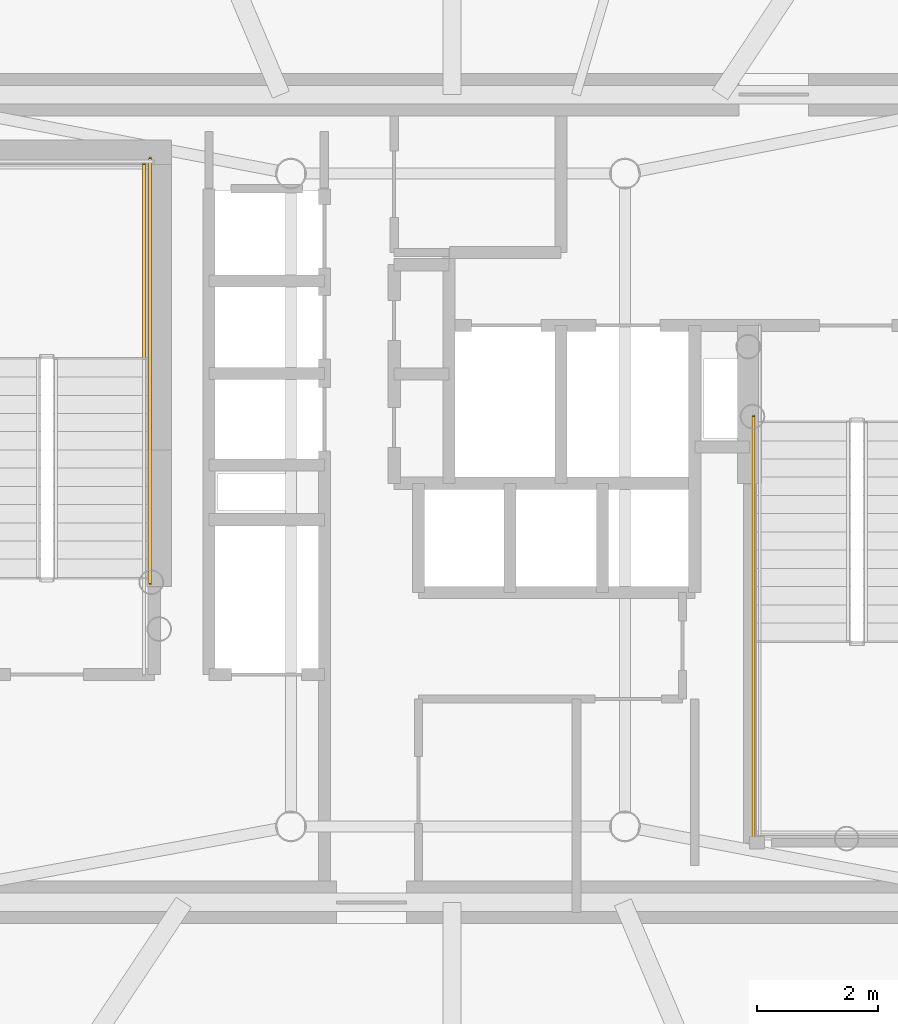
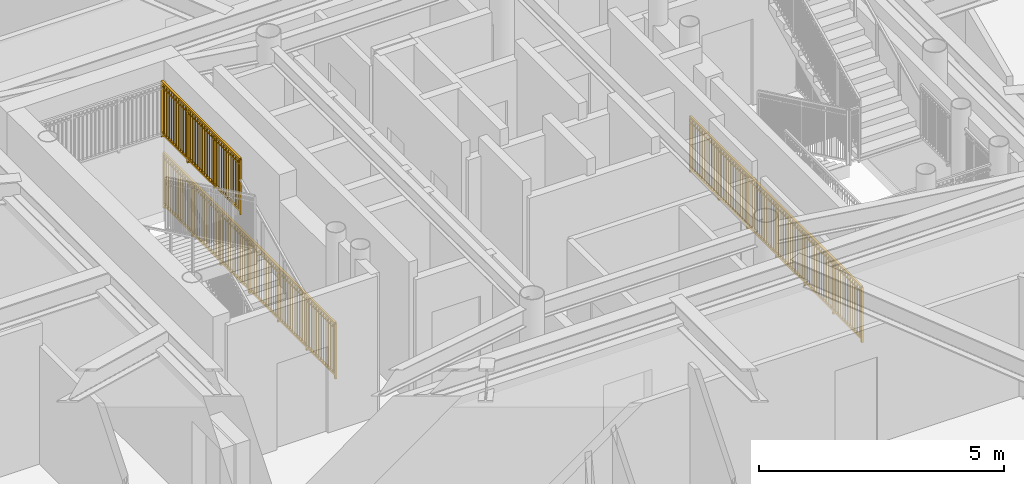
# One storey, part 18 of 21: 3 railings.
"""IFC4 building model written with IfcOpenShell, lengths in metres."""

import ifcopenshell
import ifcopenshell.guid

model = None  # the IFC model being written
_history = None  # IfcOwnerHistory: only IFC2X3 demands one
_inside = {}  # id of a spatial element -> (the spatial element, [elements in it])
_under = {}  # id of a project, library or spatial element -> (it, [spatial elements below it])
_declared = {}  # id of a project -> (the project, [libraries it declares])
_typed = {}  # id of a type object -> (the type object, [elements of that type])
_made_of = {}  # id of a material, layer set ... -> (it, [elements and type objects made of it])


def new_model(schema):
    """Start an empty IFC model of exactly this schema.

    Asked for "IFC4X3", IfcOpenShell would pick the latest addendum, in which some entities
    have other attributes; the version numbers below select the first issue.
    IFC2X3 requires an IfcOwnerHistory on every rooted entity: one is made here for all.
    """
    global model, _history
    if schema == "IFC4X3":
        model = ifcopenshell.file(schema_version=(4, 3, 0, 0))
    else:
        model = ifcopenshell.file(schema=schema)
    _inside.clear()
    _under.clear()
    _declared.clear()
    _typed.clear()
    _made_of.clear()
    _history = None
    if model.schema == "IFC2X3":
        org = make("IfcOrganization", Name="unknown")
        user = make(
            "IfcPersonAndOrganization",
            ThePerson=make("IfcPerson", FamilyName="unknown"),
            TheOrganization=org,
        )
        app = make(
            "IfcApplication",
            ApplicationDeveloper=org,
            Version="unknown",
            ApplicationFullName="unknown",
            ApplicationIdentifier="unknown",
        )
        _history = make(
            "IfcOwnerHistory",
            OwningUser=user,
            OwningApplication=app,
            ChangeAction="ADDED",
            CreationDate=0,
        )
    return model


def make(cls, **values):
    """One entity of the class cls with the attributes given. An attribute that is None is left unset."""
    return model.create_entity(
        cls, **{name: value for name, value in values.items() if value is not None}
    )


def rooted(cls, **values):
    """An entity with a GlobalId (a new one), such as an element, a storey or a relation."""
    return make(cls, GlobalId=ifcopenshell.guid.new(), OwnerHistory=_history, **values)


def si_unit(unit_type, name, prefix=None):
    """IfcSIUnit, for example si_unit("LENGTHUNIT", "METRE", prefix="MILLI")."""
    return make("IfcSIUnit", UnitType=unit_type, Prefix=prefix, Name=name)


def assignment(units):
    """IfcUnitAssignment: the units of a project."""
    return None if units is None else make("IfcUnitAssignment", Units=units)


def point(xyz):
    """IfcCartesianPoint."""
    return None if xyz is None else make("IfcCartesianPoint", Coordinates=xyz)


def direction(xyz):
    """IfcDirection."""
    return None if xyz is None else make("IfcDirection", DirectionRatios=xyz)


def frame(location, z_axis=None, x_axis=None):
    """IfcAxis2Placement3D, a coordinate frame: its origin and axes. An axis left out is left unset."""
    return make(
        "IfcAxis2Placement3D",
        Location=point(location),
        Axis=direction(z_axis),
        RefDirection=direction(x_axis),
    )


def frame_2d(location, x_axis=None):
    """IfcAxis2Placement2D, a coordinate frame in the plane: its origin and x axis."""
    return make(
        "IfcAxis2Placement2D", Location=point(location), RefDirection=direction(x_axis)
    )


def origin():
    """The frame at (0, 0, 0) with its axes left unset."""
    return frame((0.0, 0.0, 0.0))


def origin_2d():
    """The frame at (0, 0) in the plane with its x axis left unset."""
    return frame_2d((0.0, 0.0))


def place(relative_to, where):
    """IfcLocalPlacement: puts the frame where relative to a parent placement (None: the world)."""
    return make(
        "IfcLocalPlacement", PlacementRelTo=relative_to, RelativePlacement=where
    )


def context(
    kind, dimensions, precision=None, world=None, true_north=None, identifier=None
):
    """IfcGeometricRepresentationContext, for example the 3D "Model" context."""
    return make(
        "IfcGeometricRepresentationContext",
        ContextIdentifier=identifier,
        ContextType=kind,
        CoordinateSpaceDimension=dimensions,
        Precision=precision,
        WorldCoordinateSystem=world,
        TrueNorth=true_north,
    )


def subcontext(parent, identifier, kind, view, scale=None):
    """IfcGeometricRepresentationSubContext, for example "Body" below "Model"."""
    return make(
        "IfcGeometricRepresentationSubContext",
        ContextIdentifier=identifier,
        ContextType=kind,
        ParentContext=parent,
        TargetScale=scale,
        TargetView=view,
    )


def project(units=None, contexts=None):
    """IfcProject with its units and contexts."""
    return rooted(
        "IfcProject",
        Name="project",
        RepresentationContexts=contexts,
        UnitsInContext=assignment(units),
    )


def spatial(cls, under=None, at=None, **own):
    """A site, building, storey or space (cls), placed at a placement, below another one or the project."""
    s = rooted(cls, ObjectPlacement=at, **own)
    if under is not None:
        _under.setdefault(under.id(), (under, []))[1].append(s)
    return s


def profile(cls, at=None, kind="AREA", **sizes):
    """A parametric profile (cls). Its sizes go by their IFC names, for example OverallWidth=200.0."""
    return make(cls, ProfileType=kind, Position=at, **sizes)


def rectangle(**sizes):
    """IfcRectangleProfileDef."""
    return profile("IfcRectangleProfileDef", **sizes)


def extrude(swept, where, along, depth):
    """IfcExtrudedAreaSolid: the profile swept, set in the frame where, extruded along a direction by depth."""
    return make(
        "IfcExtrudedAreaSolid",
        SweptArea=swept,
        Position=where,
        ExtrudedDirection=direction(along),
        Depth=depth,
    )


def shape(context_of_items, identifier, shape_type, items):
    """IfcShapeRepresentation: the items that make up one representation, for example the "Body"."""
    return make(
        "IfcShapeRepresentation",
        ContextOfItems=context_of_items,
        RepresentationIdentifier=identifier,
        RepresentationType=shape_type,
        Items=items,
    )


def source(mapping_origin, context_of_items, identifier, shape_type, items):
    """IfcRepresentationMap: a shape defined once, which mapped items show again and again."""
    return make(
        "IfcRepresentationMap",
        MappingOrigin=mapping_origin,
        MappedRepresentation=shape(context_of_items, identifier, shape_type, items),
    )


def transform(
    local_origin,
    x_axis=None,
    y_axis=None,
    z_axis=None,
    scale=None,
    scale2=None,
    scale3=None,
    uniform=True,
):
    """IfcCartesianTransformationOperator3D, or its non-uniform kind. x_axis, y_axis, z_axis: its Axis1, 2, 3."""
    if uniform:
        return make(
            "IfcCartesianTransformationOperator3D",
            Axis1=direction(x_axis),
            Axis2=direction(y_axis),
            LocalOrigin=point(local_origin),
            Scale=scale,
            Axis3=direction(z_axis),
        )
    return make(
        "IfcCartesianTransformationOperator3DnonUniform",
        Axis1=direction(x_axis),
        Axis2=direction(y_axis),
        LocalOrigin=point(local_origin),
        Scale=scale,
        Axis3=direction(z_axis),
        Scale2=scale2,
        Scale3=scale3,
    )


def mapped(mapping_source, mapping_target):
    """IfcMappedItem: shows the shape of a source again, moved by a transform."""
    return make(
        "IfcMappedItem", MappingSource=mapping_source, MappingTarget=mapping_target
    )


def material(Name=None, Category=None):
    """IfcMaterial."""
    return make("IfcMaterial", Name=Name, Category=Category)


def made_of(thing, what):
    """Note that an element or type object is made of a material, layer set ...; save() writes the relation."""
    if what is not None:
        _made_of.setdefault(what.id(), (what, []))[1].append(thing)
    return thing


def type_object(cls, material=None, **own):
    """A type object (cls), such as IfcWallType, which elements share."""
    return made_of(rooted(cls, **own), material)


def element(
    cls,
    number,
    at=None,
    inside=None,
    cuts=None,
    type_object=None,
    material=None,
    context=None,
    identifier="Body",
    shape_type=None,
    held_by="IfcProductDefinitionShape",
    body=None,
    shapes=None,
    **own,
):
    """One element of the class cls, such as IfcWall. Its Tag is "e" and its number.

    at: its placement. inside: the storey or other place that contains it. cuts: it is an
    opening in that element (IfcRelVoidsElement). A single representation is given by context,
    identifier, shape_type and body (its items); several are given by shapes. held_by: the class
    of the entity that holds the representations. save() writes the other relations.
    """
    e = rooted(cls, Tag="e%d" % number, ObjectPlacement=at, **own)
    if body is not None:
        shapes = [shape(context, identifier, shape_type, body)]
    if shapes is not None:
        e.Representation = make(held_by, Representations=shapes)
    if inside is not None:
        _inside.setdefault(inside.id(), (inside, []))[1].append(e)
    if cuts is not None:
        rooted(
            "IfcRelVoidsElement", RelatingBuildingElement=cuts, RelatedOpeningElement=e
        )
    if type_object is not None:
        _typed.setdefault(type_object.id(), (type_object, []))[1].append(e)
    return made_of(e, material)


def aggregate(whole, parts):
    """IfcRelAggregates: a whole, such as a stair, and the parts it consists of."""
    return rooted("IfcRelAggregates", RelatingObject=whole, RelatedObjects=parts)


def save(model, path):
    """Write the relations noted so far, then the file.

    IfcRelAggregates (storeys below a building ...), IfcRelContainedInSpatialStructure (elements
    in a storey), IfcRelDefinesByType, IfcRelAssociatesMaterial and IfcRelDeclares: one each for
    every whole, place, type object, material and project.
    """
    for whole, parts in _under.values():
        aggregate(whole, parts)
    for where, things in _inside.values():
        rooted(
            "IfcRelContainedInSpatialStructure",
            RelatedElements=things,
            RelatingStructure=where,
        )
    for kind, things in _typed.values():
        rooted("IfcRelDefinesByType", RelatedObjects=things, RelatingType=kind)
    for what, things in _made_of.values():
        rooted("IfcRelAssociatesMaterial", RelatedObjects=things, RelatingMaterial=what)
    for by, libraries in _declared.values():
        rooted("IfcRelDeclares", RelatingContext=by, RelatedDefinitions=libraries)
    model.write(path)


model = new_model("IFC4")

# Units and contexts
model_context = context("Model", 3, precision=1e-05, world=origin(), true_north=direction((0.0, 1.0)))
body_context = subcontext(model_context, "Body", "Model", "MODEL_VIEW")
ifc_project = project(units=[si_unit("LENGTHUNIT", "METRE"), si_unit("AREAUNIT", "SQUARE_METRE"), si_unit("VOLUMEUNIT", "CUBIC_METRE"), si_unit("PLANEANGLEUNIT", "RADIAN"), si_unit("MASSUNIT", "GRAM", prefix="KILO")], contexts=[model_context])

# Site, building, storey
site_placement = place(None, origin())
site = spatial("IfcSite", under=ifc_project, at=site_placement, CompositionType="ELEMENT")
building_placement = place(site_placement, origin())
building = spatial("IfcBuilding", under=site, at=building_placement, Name="Linh Dai School and Residence Tower", CompositionType="ELEMENT")
storey_placement = place(building_placement, frame((0.0, 0.0, 229.050048828125)))
storey = spatial("IfcBuildingStorey", under=building, at=storey_placement, Name="L56", CompositionType="ELEMENT", Elevation=229.050048828125)

# Railings
ifc_material = material(Name="Structural Steel S355JR", Category="steel")
railing_type = type_object("IfcRailingType", Name="RL-ST-GUARD-1400", PredefinedType="GUARDRAIL", material=ifc_material)
shared_shape_1 = source(origin(), body_context, "Body", "SweptSolid", [
    extrude(rectangle(XDim=0.048095703125, YDim=0.048095703125, at=origin_2d()), frame((0.0, 0.0, 1.3759765625), z_axis=(0.0, 1.0, 0.0), x_axis=(-1.0, 0.0, 0.0)), (0.0, 0.0, 1.0), 7.0),
    extrude(rectangle(XDim=0.048095703125, YDim=0.048095703125, at=origin_2d()), frame((0.0, 0.0, 0.10009765625), z_axis=(0.0, 1.0, 0.0), x_axis=(-1.0, 0.0, 0.0)), (0.0, 0.0, 1.0), 7.0),
    extrude(rectangle(XDim=0.030029296875, YDim=0.030029296875, at=origin_2d()), frame((0.0, 0.0, 1.239990234375), z_axis=(0.0, 1.0, 0.0), x_axis=(-1.0, 0.0, 0.0)), (0.0, 0.0, 1.0), 7.0),
    extrude(rectangle(XDim=0.02001953125, YDim=0.02001953125, at=origin_2d()), frame((0.0, 0.09716796875, 0.10009765625)), (0.0, 0.0, 1.0), 1.251708984375),
    extrude(rectangle(XDim=0.02001953125, YDim=0.02001953125, at=origin_2d()), frame((0.0, 0.1943359375, 0.10009765625)), (0.0, 0.0, 1.0), 1.251708984375),
    extrude(rectangle(XDim=0.02001953125, YDim=0.02001953125, at=origin_2d()), frame((0.0, 0.291748046875, 0.10009765625)), (0.0, 0.0, 1.0), 1.251708984375),
    extrude(rectangle(XDim=0.02001953125, YDim=0.02001953125, at=origin_2d()), frame((0.0, 0.388916015625, 0.10009765625)), (0.0, 0.0, 1.0), 1.251708984375),
    extrude(rectangle(XDim=0.02001953125, YDim=0.02001953125, at=origin_2d()), frame((0.0, 0.486083984375, 0.10009765625)), (0.0, 0.0, 1.0), 1.251708984375),
    extrude(rectangle(XDim=0.02001953125, YDim=0.02001953125, at=origin_2d()), frame((0.0, 0.583251953125, 0.10009765625)), (0.0, 0.0, 1.0), 1.251708984375),
    extrude(rectangle(XDim=0.02001953125, YDim=0.02001953125, at=origin_2d()), frame((0.0, 0.6806640625, 0.10009765625)), (0.0, 0.0, 1.0), 1.251708984375),
    extrude(rectangle(XDim=0.02001953125, YDim=0.02001953125, at=origin_2d()), frame((0.0, 0.77783203125, 0.10009765625)), (0.0, 0.0, 1.0), 1.251708984375),
    extrude(rectangle(XDim=0.02001953125, YDim=0.02001953125, at=origin_2d()), frame((0.0, 0.875, 0.10009765625)), (0.0, 0.0, 1.0), 1.251708984375),
    extrude(rectangle(XDim=0.02001953125, YDim=0.02001953125, at=origin_2d()), frame((0.0, 0.97216796875, 0.10009765625)), (0.0, 0.0, 1.0), 1.251708984375),
    extrude(rectangle(XDim=0.02001953125, YDim=0.02001953125, at=origin_2d()), frame((0.0, 1.0693359375, 0.10009765625)), (0.0, 0.0, 1.0), 1.251708984375),
    extrude(rectangle(XDim=0.02001953125, YDim=0.02001953125, at=origin_2d()), frame((0.0, 1.263916015625, 0.10009765625)), (0.0, 0.0, 1.0), 1.251708984375),
    extrude(rectangle(XDim=0.02001953125, YDim=0.02001953125, at=origin_2d()), frame((0.0, 1.361083984375, 0.10009765625)), (0.0, 0.0, 1.0), 1.251708984375),
    extrude(rectangle(XDim=0.02001953125, YDim=0.02001953125, at=origin_2d()), frame((0.0, 1.458251953125, 0.10009765625)), (0.0, 0.0, 1.0), 1.251708984375),
    extrude(rectangle(XDim=0.02001953125, YDim=0.02001953125, at=origin_2d()), frame((0.0, 1.5556640625, 0.10009765625)), (0.0, 0.0, 1.0), 1.251708984375),
    extrude(rectangle(XDim=0.02001953125, YDim=0.02001953125, at=origin_2d()), frame((0.0, 1.65283203125, 0.10009765625)), (0.0, 0.0, 1.0), 1.251708984375),
    extrude(rectangle(XDim=0.02001953125, YDim=0.02001953125, at=origin_2d()), frame((0.0, 1.75, 0.10009765625)), (0.0, 0.0, 1.0), 1.251708984375),
    extrude(rectangle(XDim=0.02001953125, YDim=0.02001953125, at=origin_2d()), frame((0.0, 1.84716796875, 0.10009765625)), (0.0, 0.0, 1.0), 1.251708984375),
    extrude(rectangle(XDim=0.02001953125, YDim=0.02001953125, at=origin_2d()), frame((0.0, 1.9443359375, 0.10009765625)), (0.0, 0.0, 1.0), 1.251708984375),
    extrude(rectangle(XDim=0.02001953125, YDim=0.02001953125, at=origin_2d()), frame((0.0, 2.041748046875, 0.10009765625)), (0.0, 0.0, 1.0), 1.251708984375),
    extrude(rectangle(XDim=0.02001953125, YDim=0.02001953125, at=origin_2d()), frame((0.0, 2.138916015625, 0.10009765625)), (0.0, 0.0, 1.0), 1.251708984375),
    extrude(rectangle(XDim=0.02001953125, YDim=0.02001953125, at=origin_2d()), frame((0.0, 2.236083984375, 0.10009765625)), (0.0, 0.0, 1.0), 1.251708984375),
    extrude(rectangle(XDim=0.02001953125, YDim=0.02001953125, at=origin_2d()), frame((0.0, 2.4306640625, 0.10009765625)), (0.0, 0.0, 1.0), 1.251708984375),
    extrude(rectangle(XDim=0.02001953125, YDim=0.02001953125, at=origin_2d()), frame((0.0, 2.52783203125, 0.10009765625)), (0.0, 0.0, 1.0), 1.251708984375),
    extrude(rectangle(XDim=0.02001953125, YDim=0.02001953125, at=origin_2d()), frame((0.0, 2.625, 0.10009765625)), (0.0, 0.0, 1.0), 1.251708984375),
    extrude(rectangle(XDim=0.02001953125, YDim=0.02001953125, at=origin_2d()), frame((0.0, 2.72216796875, 0.10009765625)), (0.0, 0.0, 1.0), 1.251708984375),
    extrude(rectangle(XDim=0.02001953125, YDim=0.02001953125, at=origin_2d()), frame((0.0, 2.8193359375, 0.10009765625)), (0.0, 0.0, 1.0), 1.251708984375),
    extrude(rectangle(XDim=0.02001953125, YDim=0.02001953125, at=origin_2d()), frame((0.0, 2.916748046875, 0.10009765625)), (0.0, 0.0, 1.0), 1.251708984375),
    extrude(rectangle(XDim=0.02001953125, YDim=0.02001953125, at=origin_2d()), frame((0.0, 3.013916015625, 0.10009765625)), (0.0, 0.0, 1.0), 1.251708984375),
    extrude(rectangle(XDim=0.02001953125, YDim=0.02001953125, at=origin_2d()), frame((0.0, 3.111083984375, 0.10009765625)), (0.0, 0.0, 1.0), 1.251708984375),
    extrude(rectangle(XDim=0.02001953125, YDim=0.02001953125, at=origin_2d()), frame((0.0, 3.208251953125, 0.10009765625)), (0.0, 0.0, 1.0), 1.251708984375),
    extrude(rectangle(XDim=0.02001953125, YDim=0.02001953125, at=origin_2d()), frame((0.0, 3.3056640625, 0.10009765625)), (0.0, 0.0, 1.0), 1.251708984375),
    extrude(rectangle(XDim=0.02001953125, YDim=0.02001953125, at=origin_2d()), frame((0.0, 3.40283203125, 0.10009765625)), (0.0, 0.0, 1.0), 1.251708984375),
    extrude(rectangle(XDim=0.02001953125, YDim=0.02001953125, at=origin_2d()), frame((0.0, 3.59716796875, 0.10009765625)), (0.0, 0.0, 1.0), 1.251708984375),
    extrude(rectangle(XDim=0.02001953125, YDim=0.02001953125, at=origin_2d()), frame((0.0, 3.6943359375, 0.10009765625)), (0.0, 0.0, 1.0), 1.251708984375),
    extrude(rectangle(XDim=0.02001953125, YDim=0.02001953125, at=origin_2d()), frame((0.0, 3.791748046875, 0.10009765625)), (0.0, 0.0, 1.0), 1.251708984375),
    extrude(rectangle(XDim=0.02001953125, YDim=0.02001953125, at=origin_2d()), frame((0.0, 3.888916015625, 0.10009765625)), (0.0, 0.0, 1.0), 1.251708984375),
    extrude(rectangle(XDim=0.02001953125, YDim=0.02001953125, at=origin_2d()), frame((0.0, 3.986083984375, 0.10009765625)), (0.0, 0.0, 1.0), 1.251708984375),
    extrude(rectangle(XDim=0.02001953125, YDim=0.02001953125, at=origin_2d()), frame((0.0, 4.083251953125, 0.10009765625)), (0.0, 0.0, 1.0), 1.251708984375),
    extrude(rectangle(XDim=0.02001953125, YDim=0.02001953125, at=origin_2d()), frame((0.0, 4.1806640625, 0.10009765625)), (0.0, 0.0, 1.0), 1.251708984375),
    extrude(rectangle(XDim=0.02001953125, YDim=0.02001953125, at=origin_2d()), frame((0.0, 4.27783203125, 0.10009765625)), (0.0, 0.0, 1.0), 1.251708984375),
    extrude(rectangle(XDim=0.02001953125, YDim=0.02001953125, at=origin_2d()), frame((0.0, 4.375, 0.10009765625)), (0.0, 0.0, 1.0), 1.251708984375),
    extrude(rectangle(XDim=0.02001953125, YDim=0.02001953125, at=origin_2d()), frame((0.0, 4.47216796875, 0.10009765625)), (0.0, 0.0, 1.0), 1.251708984375),
    extrude(rectangle(XDim=0.02001953125, YDim=0.02001953125, at=origin_2d()), frame((0.0, 4.5693359375, 0.10009765625)), (0.0, 0.0, 1.0), 1.251708984375),
    extrude(rectangle(XDim=0.02001953125, YDim=0.02001953125, at=origin_2d()), frame((0.0, 4.763916015625, 0.10009765625)), (0.0, 0.0, 1.0), 1.251708984375),
    extrude(rectangle(XDim=0.02001953125, YDim=0.02001953125, at=origin_2d()), frame((0.0, 4.861083984375, 0.10009765625)), (0.0, 0.0, 1.0), 1.251708984375),
    extrude(rectangle(XDim=0.02001953125, YDim=0.02001953125, at=origin_2d()), frame((0.0, 4.958251953125, 0.10009765625)), (0.0, 0.0, 1.0), 1.251708984375),
    extrude(rectangle(XDim=0.02001953125, YDim=0.02001953125, at=origin_2d()), frame((0.0, 5.0556640625, 0.10009765625)), (0.0, 0.0, 1.0), 1.251708984375),
    extrude(rectangle(XDim=0.02001953125, YDim=0.02001953125, at=origin_2d()), frame((0.0, 5.15283203125, 0.10009765625)), (0.0, 0.0, 1.0), 1.251708984375),
    extrude(rectangle(XDim=0.02001953125, YDim=0.02001953125, at=origin_2d()), frame((0.0, 5.25, 0.10009765625)), (0.0, 0.0, 1.0), 1.251708984375),
    extrude(rectangle(XDim=0.02001953125, YDim=0.02001953125, at=origin_2d()), frame((0.0, 5.34716796875, 0.10009765625)), (0.0, 0.0, 1.0), 1.251708984375),
    extrude(rectangle(XDim=0.02001953125, YDim=0.02001953125, at=origin_2d()), frame((0.0, 5.4443359375, 0.10009765625)), (0.0, 0.0, 1.0), 1.251708984375),
    extrude(rectangle(XDim=0.02001953125, YDim=0.02001953125, at=origin_2d()), frame((0.0, 5.541748046875, 0.10009765625)), (0.0, 0.0, 1.0), 1.251708984375),
    extrude(rectangle(XDim=0.02001953125, YDim=0.02001953125, at=origin_2d()), frame((0.0, 5.638916015625, 0.10009765625)), (0.0, 0.0, 1.0), 1.251708984375),
    extrude(rectangle(XDim=0.02001953125, YDim=0.02001953125, at=origin_2d()), frame((0.0, 5.736083984375, 0.10009765625)), (0.0, 0.0, 1.0), 1.251708984375),
    extrude(rectangle(XDim=0.02001953125, YDim=0.02001953125, at=origin_2d()), frame((0.0, 5.9306640625, 0.10009765625)), (0.0, 0.0, 1.0), 1.251708984375),
    extrude(rectangle(XDim=0.02001953125, YDim=0.02001953125, at=origin_2d()), frame((0.0, 6.02783203125, 0.10009765625)), (0.0, 0.0, 1.0), 1.251708984375),
    extrude(rectangle(XDim=0.02001953125, YDim=0.02001953125, at=origin_2d()), frame((0.0, 6.125, 0.10009765625)), (0.0, 0.0, 1.0), 1.251708984375),
    extrude(rectangle(XDim=0.02001953125, YDim=0.02001953125, at=origin_2d()), frame((0.0, 6.22216796875, 0.10009765625)), (0.0, 0.0, 1.0), 1.251708984375),
    extrude(rectangle(XDim=0.02001953125, YDim=0.02001953125, at=origin_2d()), frame((0.0, 6.3193359375, 0.10009765625)), (0.0, 0.0, 1.0), 1.251708984375),
    extrude(rectangle(XDim=0.02001953125, YDim=0.02001953125, at=origin_2d()), frame((0.0, 6.416748046875, 0.10009765625)), (0.0, 0.0, 1.0), 1.251708984375),
    extrude(rectangle(XDim=0.02001953125, YDim=0.02001953125, at=origin_2d()), frame((0.0, 6.513916015625, 0.10009765625)), (0.0, 0.0, 1.0), 1.251708984375),
    extrude(rectangle(XDim=0.02001953125, YDim=0.02001953125, at=origin_2d()), frame((0.0, 6.611083984375, 0.10009765625)), (0.0, 0.0, 1.0), 1.251708984375),
    extrude(rectangle(XDim=0.02001953125, YDim=0.02001953125, at=origin_2d()), frame((0.0, 6.708251953125, 0.10009765625)), (0.0, 0.0, 1.0), 1.251708984375),
    extrude(rectangle(XDim=0.02001953125, YDim=0.02001953125, at=origin_2d()), frame((0.0, 6.8056640625, 0.10009765625)), (0.0, 0.0, 1.0), 1.251708984375),
    extrude(rectangle(XDim=0.02001953125, YDim=0.02001953125, at=origin_2d()), frame((0.0, 6.90283203125, 0.10009765625)), (0.0, 0.0, 1.0), 1.251708984375),
    extrude(rectangle(XDim=0.0419921875, YDim=0.0419921875, at=origin_2d()), origin(), (0.0, 0.0, 1.0), 1.3759765625),
    extrude(rectangle(XDim=0.0419921875, YDim=0.0419921875, at=origin_2d()), frame((0.0, 1.166748046875, 0.0)), (0.0, 0.0, 1.0), 1.3759765625),
    extrude(rectangle(XDim=0.0419921875, YDim=0.0419921875, at=origin_2d()), frame((0.0, 2.333251953125, 0.0)), (0.0, 0.0, 1.0), 1.3759765625),
    extrude(rectangle(XDim=0.0419921875, YDim=0.0419921875, at=origin_2d()), frame((0.0, 3.5, 0.0)), (0.0, 0.0, 1.0), 1.3759765625),
    extrude(rectangle(XDim=0.0419921875, YDim=0.0419921875, at=origin_2d()), frame((0.0, 4.666748046875, 0.0)), (0.0, 0.0, 1.0), 1.3759765625),
    extrude(rectangle(XDim=0.0419921875, YDim=0.0419921875, at=origin_2d()), frame((0.0, 5.833251953125, 0.0)), (0.0, 0.0, 1.0), 1.3759765625),
    extrude(rectangle(XDim=0.0419921875, YDim=0.0419921875, at=origin_2d()), frame((0.0, 7.0, 0.0)), (0.0, 0.0, 1.0), 1.3759765625),
])
railing_1_placement = place(storey_placement, frame((31.030029296875, 25.60009765625, 0.0)))
element("IfcRailing", 1, at=railing_1_placement, inside=storey, type_object=railing_type, Name="L56 ST1 stair guard 10", PredefinedType="GUARDRAIL", context=body_context, shape_type="MappedRepresentation", body=[
    mapped(shared_shape_1, transform((0.0, 0.0, 0.0), x_axis=(1.0, 0.0, 0.0), y_axis=(0.0, 1.0, 0.0), z_axis=(0.0, 0.0, 1.0), scale=1.0)),
])
shared_shape_2 = source(origin(), body_context, "Body", "SweptSolid", [
    extrude(rectangle(XDim=0.048095703125, YDim=0.048095703125, at=origin_2d()), frame((0.0, 0.0, 1.3759765625), z_axis=(0.0, 1.0, 0.0), x_axis=(-1.0, 0.0, 0.0)), (0.0, 0.0, 1.0), 3.199951171875),
    extrude(rectangle(XDim=0.048095703125, YDim=0.048095703125, at=origin_2d()), frame((0.0, 0.0, 0.10009765625), z_axis=(0.0, 1.0, 0.0), x_axis=(-1.0, 0.0, 0.0)), (0.0, 0.0, 1.0), 3.199951171875),
    extrude(rectangle(XDim=0.030029296875, YDim=0.030029296875, at=origin_2d()), frame((0.0, 0.0, 1.239990234375), z_axis=(0.0, 1.0, 0.0), x_axis=(-1.0, 0.0, 0.0)), (0.0, 0.0, 1.0), 3.199951171875),
    extrude(rectangle(XDim=0.02001953125, YDim=0.02001953125, at=origin_2d()), frame((0.0, 0.096923828125, 0.10009765625)), (0.0, 0.0, 1.0), 1.251708984375),
    extrude(rectangle(XDim=0.02001953125, YDim=0.02001953125, at=origin_2d()), frame((0.0, 0.19384765625, 0.10009765625)), (0.0, 0.0, 1.0), 1.251708984375),
    extrude(rectangle(XDim=0.02001953125, YDim=0.02001953125, at=origin_2d()), frame((0.0, 0.291015625, 0.10009765625)), (0.0, 0.0, 1.0), 1.251708984375),
    extrude(rectangle(XDim=0.02001953125, YDim=0.02001953125, at=origin_2d()), frame((0.0, 0.387939453125, 0.10009765625)), (0.0, 0.0, 1.0), 1.251708984375),
    extrude(rectangle(XDim=0.02001953125, YDim=0.02001953125, at=origin_2d()), frame((0.0, 0.48486328125, 0.10009765625)), (0.0, 0.0, 1.0), 1.251708984375),
    extrude(rectangle(XDim=0.02001953125, YDim=0.02001953125, at=origin_2d()), frame((0.0, 0.581787109375, 0.10009765625)), (0.0, 0.0, 1.0), 1.251708984375),
    extrude(rectangle(XDim=0.02001953125, YDim=0.02001953125, at=origin_2d()), frame((0.0, 0.6787109375, 0.10009765625)), (0.0, 0.0, 1.0), 1.251708984375),
    extrude(rectangle(XDim=0.02001953125, YDim=0.02001953125, at=origin_2d()), frame((0.0, 0.775634765625, 0.10009765625)), (0.0, 0.0, 1.0), 1.251708984375),
    extrude(rectangle(XDim=0.02001953125, YDim=0.02001953125, at=origin_2d()), frame((0.0, 0.872802734375, 0.10009765625)), (0.0, 0.0, 1.0), 1.251708984375),
    extrude(rectangle(XDim=0.02001953125, YDim=0.02001953125, at=origin_2d()), frame((0.0, 0.9697265625, 0.10009765625)), (0.0, 0.0, 1.0), 1.251708984375),
    extrude(rectangle(XDim=0.02001953125, YDim=0.02001953125, at=origin_2d()), frame((0.0, 1.16357421875, 0.10009765625)), (0.0, 0.0, 1.0), 1.251708984375),
    extrude(rectangle(XDim=0.02001953125, YDim=0.02001953125, at=origin_2d()), frame((0.0, 1.260498046875, 0.10009765625)), (0.0, 0.0, 1.0), 1.251708984375),
    extrude(rectangle(XDim=0.02001953125, YDim=0.02001953125, at=origin_2d()), frame((0.0, 1.357666015625, 0.10009765625)), (0.0, 0.0, 1.0), 1.251708984375),
    extrude(rectangle(XDim=0.02001953125, YDim=0.02001953125, at=origin_2d()), frame((0.0, 1.45458984375, 0.10009765625)), (0.0, 0.0, 1.0), 1.251708984375),
    extrude(rectangle(XDim=0.02001953125, YDim=0.02001953125, at=origin_2d()), frame((0.0, 1.551513671875, 0.10009765625)), (0.0, 0.0, 1.0), 1.251708984375),
    extrude(rectangle(XDim=0.02001953125, YDim=0.02001953125, at=origin_2d()), frame((0.0, 1.6484375, 0.10009765625)), (0.0, 0.0, 1.0), 1.251708984375),
    extrude(rectangle(XDim=0.02001953125, YDim=0.02001953125, at=origin_2d()), frame((0.0, 1.745361328125, 0.10009765625)), (0.0, 0.0, 1.0), 1.251708984375),
    extrude(rectangle(XDim=0.02001953125, YDim=0.02001953125, at=origin_2d()), frame((0.0, 1.84228515625, 0.10009765625)), (0.0, 0.0, 1.0), 1.251708984375),
    extrude(rectangle(XDim=0.02001953125, YDim=0.02001953125, at=origin_2d()), frame((0.0, 1.939453125, 0.10009765625)), (0.0, 0.0, 1.0), 1.251708984375),
    extrude(rectangle(XDim=0.02001953125, YDim=0.02001953125, at=origin_2d()), frame((0.0, 2.036376953125, 0.10009765625)), (0.0, 0.0, 1.0), 1.251708984375),
    extrude(rectangle(XDim=0.02001953125, YDim=0.02001953125, at=origin_2d()), frame((0.0, 2.230224609375, 0.10009765625)), (0.0, 0.0, 1.0), 1.251708984375),
    extrude(rectangle(XDim=0.02001953125, YDim=0.02001953125, at=origin_2d()), frame((0.0, 2.3271484375, 0.10009765625)), (0.0, 0.0, 1.0), 1.251708984375),
    extrude(rectangle(XDim=0.02001953125, YDim=0.02001953125, at=origin_2d()), frame((0.0, 2.42431640625, 0.10009765625)), (0.0, 0.0, 1.0), 1.251708984375),
    extrude(rectangle(XDim=0.02001953125, YDim=0.02001953125, at=origin_2d()), frame((0.0, 2.521240234375, 0.10009765625)), (0.0, 0.0, 1.0), 1.251708984375),
    extrude(rectangle(XDim=0.02001953125, YDim=0.02001953125, at=origin_2d()), frame((0.0, 2.6181640625, 0.10009765625)), (0.0, 0.0, 1.0), 1.251708984375),
    extrude(rectangle(XDim=0.02001953125, YDim=0.02001953125, at=origin_2d()), frame((0.0, 2.715087890625, 0.10009765625)), (0.0, 0.0, 1.0), 1.251708984375),
    extrude(rectangle(XDim=0.02001953125, YDim=0.02001953125, at=origin_2d()), frame((0.0, 2.81201171875, 0.10009765625)), (0.0, 0.0, 1.0), 1.251708984375),
    extrude(rectangle(XDim=0.02001953125, YDim=0.02001953125, at=origin_2d()), frame((0.0, 2.908935546875, 0.10009765625)), (0.0, 0.0, 1.0), 1.251708984375),
    extrude(rectangle(XDim=0.02001953125, YDim=0.02001953125, at=origin_2d()), frame((0.0, 3.006103515625, 0.10009765625)), (0.0, 0.0, 1.0), 1.251708984375),
    extrude(rectangle(XDim=0.02001953125, YDim=0.02001953125, at=origin_2d()), frame((0.0, 3.10302734375, 0.10009765625)), (0.0, 0.0, 1.0), 1.251708984375),
    extrude(rectangle(XDim=0.0419921875, YDim=0.0419921875, at=origin_2d()), origin(), (0.0, 0.0, 1.0), 1.3759765625),
    extrude(rectangle(XDim=0.0419921875, YDim=0.0419921875, at=origin_2d()), frame((0.0, 1.066650390625, 0.0)), (0.0, 0.0, 1.0), 1.3759765625),
    extrude(rectangle(XDim=0.0419921875, YDim=0.0419921875, at=origin_2d()), frame((0.0, 2.13330078125, 0.0)), (0.0, 0.0, 1.0), 1.3759765625),
    extrude(rectangle(XDim=0.0419921875, YDim=0.0419921875, at=origin_2d()), frame((0.0, 3.199951171875, 0.0)), (0.0, 0.0, 1.0), 1.3759765625),
])
railing_2_placement = place(storey_placement, frame((30.929931640625, 29.300048828125, 1.875)))
element("IfcRailing", 2, at=railing_2_placement, inside=storey, type_object=railing_type, Name="L56 ST1 stair guard 3", PredefinedType="GUARDRAIL", context=body_context, shape_type="MappedRepresentation", body=[
    mapped(shared_shape_2, transform((0.0, 0.0, 0.0), x_axis=(1.0, 0.0, 0.0), y_axis=(0.0, 1.0, 0.0), z_axis=(0.0, 0.0, 1.0), scale=1.0)),
])
shared_shape_3 = source(origin(), body_context, "Body", "SweptSolid", [
    extrude(rectangle(XDim=0.048095703125, YDim=0.048095703125, at=origin_2d()), frame((0.0, 0.0, 1.3759765625), z_axis=(0.0, -1.0, 0.0), x_axis=(1.0, 0.0, 0.0)), (0.0, 0.0, 1.0), 7.0),
    extrude(rectangle(XDim=0.048095703125, YDim=0.048095703125, at=origin_2d()), frame((0.0, 0.0, 0.10009765625), z_axis=(0.0, -1.0, 0.0), x_axis=(1.0, 0.0, 0.0)), (0.0, 0.0, 1.0), 7.0),
    extrude(rectangle(XDim=0.030029296875, YDim=0.030029296875, at=origin_2d()), frame((0.0, 0.0, 1.239990234375), z_axis=(0.0, -1.0, 0.0), x_axis=(1.0, 0.0, 0.0)), (0.0, 0.0, 1.0), 7.0),
    extrude(rectangle(XDim=0.02001953125, YDim=0.02001953125, at=origin_2d()), frame((0.0, -0.09716796875, 0.10009765625)), (0.0, 0.0, 1.0), 1.251708984375),
    extrude(rectangle(XDim=0.02001953125, YDim=0.02001953125, at=origin_2d()), frame((0.0, -0.1943359375, 0.10009765625)), (0.0, 0.0, 1.0), 1.251708984375),
    extrude(rectangle(XDim=0.02001953125, YDim=0.02001953125, at=origin_2d()), frame((0.0, -0.291748046875, 0.10009765625)), (0.0, 0.0, 1.0), 1.251708984375),
    extrude(rectangle(XDim=0.02001953125, YDim=0.02001953125, at=origin_2d()), frame((0.0, -0.388916015625, 0.10009765625)), (0.0, 0.0, 1.0), 1.251708984375),
    extrude(rectangle(XDim=0.02001953125, YDim=0.02001953125, at=origin_2d()), frame((0.0, -0.486083984375, 0.10009765625)), (0.0, 0.0, 1.0), 1.251708984375),
    extrude(rectangle(XDim=0.02001953125, YDim=0.02001953125, at=origin_2d()), frame((0.0, -0.583251953125, 0.10009765625)), (0.0, 0.0, 1.0), 1.251708984375),
    extrude(rectangle(XDim=0.02001953125, YDim=0.02001953125, at=origin_2d()), frame((0.0, -0.6806640625, 0.10009765625)), (0.0, 0.0, 1.0), 1.251708984375),
    extrude(rectangle(XDim=0.02001953125, YDim=0.02001953125, at=origin_2d()), frame((0.0, -0.77783203125, 0.10009765625)), (0.0, 0.0, 1.0), 1.251708984375),
    extrude(rectangle(XDim=0.02001953125, YDim=0.02001953125, at=origin_2d()), frame((0.0, -0.875, 0.10009765625)), (0.0, 0.0, 1.0), 1.251708984375),
    extrude(rectangle(XDim=0.02001953125, YDim=0.02001953125, at=origin_2d()), frame((0.0, -0.97216796875, 0.10009765625)), (0.0, 0.0, 1.0), 1.251708984375),
    extrude(rectangle(XDim=0.02001953125, YDim=0.02001953125, at=origin_2d()), frame((0.0, -1.0693359375, 0.10009765625)), (0.0, 0.0, 1.0), 1.251708984375),
    extrude(rectangle(XDim=0.02001953125, YDim=0.02001953125, at=origin_2d()), frame((0.0, -1.263916015625, 0.10009765625)), (0.0, 0.0, 1.0), 1.251708984375),
    extrude(rectangle(XDim=0.02001953125, YDim=0.02001953125, at=origin_2d()), frame((0.0, -1.361083984375, 0.10009765625)), (0.0, 0.0, 1.0), 1.251708984375),
    extrude(rectangle(XDim=0.02001953125, YDim=0.02001953125, at=origin_2d()), frame((0.0, -1.458251953125, 0.10009765625)), (0.0, 0.0, 1.0), 1.251708984375),
    extrude(rectangle(XDim=0.02001953125, YDim=0.02001953125, at=origin_2d()), frame((0.0, -1.5556640625, 0.10009765625)), (0.0, 0.0, 1.0), 1.251708984375),
    extrude(rectangle(XDim=0.02001953125, YDim=0.02001953125, at=origin_2d()), frame((0.0, -1.65283203125, 0.10009765625)), (0.0, 0.0, 1.0), 1.251708984375),
    extrude(rectangle(XDim=0.02001953125, YDim=0.02001953125, at=origin_2d()), frame((0.0, -1.75, 0.10009765625)), (0.0, 0.0, 1.0), 1.251708984375),
    extrude(rectangle(XDim=0.02001953125, YDim=0.02001953125, at=origin_2d()), frame((0.0, -1.84716796875, 0.10009765625)), (0.0, 0.0, 1.0), 1.251708984375),
    extrude(rectangle(XDim=0.02001953125, YDim=0.02001953125, at=origin_2d()), frame((0.0, -1.9443359375, 0.10009765625)), (0.0, 0.0, 1.0), 1.251708984375),
    extrude(rectangle(XDim=0.02001953125, YDim=0.02001953125, at=origin_2d()), frame((0.0, -2.041748046875, 0.10009765625)), (0.0, 0.0, 1.0), 1.251708984375),
    extrude(rectangle(XDim=0.02001953125, YDim=0.02001953125, at=origin_2d()), frame((0.0, -2.138916015625, 0.10009765625)), (0.0, 0.0, 1.0), 1.251708984375),
    extrude(rectangle(XDim=0.02001953125, YDim=0.02001953125, at=origin_2d()), frame((0.0, -2.236083984375, 0.10009765625)), (0.0, 0.0, 1.0), 1.251708984375),
    extrude(rectangle(XDim=0.02001953125, YDim=0.02001953125, at=origin_2d()), frame((0.0, -2.4306640625, 0.10009765625)), (0.0, 0.0, 1.0), 1.251708984375),
    extrude(rectangle(XDim=0.02001953125, YDim=0.02001953125, at=origin_2d()), frame((0.0, -2.52783203125, 0.10009765625)), (0.0, 0.0, 1.0), 1.251708984375),
    extrude(rectangle(XDim=0.02001953125, YDim=0.02001953125, at=origin_2d()), frame((0.0, -2.625, 0.10009765625)), (0.0, 0.0, 1.0), 1.251708984375),
    extrude(rectangle(XDim=0.02001953125, YDim=0.02001953125, at=origin_2d()), frame((0.0, -2.72216796875, 0.10009765625)), (0.0, 0.0, 1.0), 1.251708984375),
    extrude(rectangle(XDim=0.02001953125, YDim=0.02001953125, at=origin_2d()), frame((0.0, -2.8193359375, 0.10009765625)), (0.0, 0.0, 1.0), 1.251708984375),
    extrude(rectangle(XDim=0.02001953125, YDim=0.02001953125, at=origin_2d()), frame((0.0, -2.916748046875, 0.10009765625)), (0.0, 0.0, 1.0), 1.251708984375),
    extrude(rectangle(XDim=0.02001953125, YDim=0.02001953125, at=origin_2d()), frame((0.0, -3.013916015625, 0.10009765625)), (0.0, 0.0, 1.0), 1.251708984375),
    extrude(rectangle(XDim=0.02001953125, YDim=0.02001953125, at=origin_2d()), frame((0.0, -3.111083984375, 0.10009765625)), (0.0, 0.0, 1.0), 1.251708984375),
    extrude(rectangle(XDim=0.02001953125, YDim=0.02001953125, at=origin_2d()), frame((0.0, -3.208251953125, 0.10009765625)), (0.0, 0.0, 1.0), 1.251708984375),
    extrude(rectangle(XDim=0.02001953125, YDim=0.02001953125, at=origin_2d()), frame((0.0, -3.3056640625, 0.10009765625)), (0.0, 0.0, 1.0), 1.251708984375),
    extrude(rectangle(XDim=0.02001953125, YDim=0.02001953125, at=origin_2d()), frame((0.0, -3.40283203125, 0.10009765625)), (0.0, 0.0, 1.0), 1.251708984375),
    extrude(rectangle(XDim=0.02001953125, YDim=0.02001953125, at=origin_2d()), frame((0.0, -3.59716796875, 0.10009765625)), (0.0, 0.0, 1.0), 1.251708984375),
    extrude(rectangle(XDim=0.02001953125, YDim=0.02001953125, at=origin_2d()), frame((0.0, -3.6943359375, 0.10009765625)), (0.0, 0.0, 1.0), 1.251708984375),
    extrude(rectangle(XDim=0.02001953125, YDim=0.02001953125, at=origin_2d()), frame((0.0, -3.791748046875, 0.10009765625)), (0.0, 0.0, 1.0), 1.251708984375),
    extrude(rectangle(XDim=0.02001953125, YDim=0.02001953125, at=origin_2d()), frame((0.0, -3.888916015625, 0.10009765625)), (0.0, 0.0, 1.0), 1.251708984375),
    extrude(rectangle(XDim=0.02001953125, YDim=0.02001953125, at=origin_2d()), frame((0.0, -3.986083984375, 0.10009765625)), (0.0, 0.0, 1.0), 1.251708984375),
    extrude(rectangle(XDim=0.02001953125, YDim=0.02001953125, at=origin_2d()), frame((0.0, -4.083251953125, 0.10009765625)), (0.0, 0.0, 1.0), 1.251708984375),
    extrude(rectangle(XDim=0.02001953125, YDim=0.02001953125, at=origin_2d()), frame((0.0, -4.1806640625, 0.10009765625)), (0.0, 0.0, 1.0), 1.251708984375),
    extrude(rectangle(XDim=0.02001953125, YDim=0.02001953125, at=origin_2d()), frame((0.0, -4.27783203125, 0.10009765625)), (0.0, 0.0, 1.0), 1.251708984375),
    extrude(rectangle(XDim=0.02001953125, YDim=0.02001953125, at=origin_2d()), frame((0.0, -4.375, 0.10009765625)), (0.0, 0.0, 1.0), 1.251708984375),
    extrude(rectangle(XDim=0.02001953125, YDim=0.02001953125, at=origin_2d()), frame((0.0, -4.47216796875, 0.10009765625)), (0.0, 0.0, 1.0), 1.251708984375),
    extrude(rectangle(XDim=0.02001953125, YDim=0.02001953125, at=origin_2d()), frame((0.0, -4.5693359375, 0.10009765625)), (0.0, 0.0, 1.0), 1.251708984375),
    extrude(rectangle(XDim=0.02001953125, YDim=0.02001953125, at=origin_2d()), frame((0.0, -4.763916015625, 0.10009765625)), (0.0, 0.0, 1.0), 1.251708984375),
    extrude(rectangle(XDim=0.02001953125, YDim=0.02001953125, at=origin_2d()), frame((0.0, -4.861083984375, 0.10009765625)), (0.0, 0.0, 1.0), 1.251708984375),
    extrude(rectangle(XDim=0.02001953125, YDim=0.02001953125, at=origin_2d()), frame((0.0, -4.958251953125, 0.10009765625)), (0.0, 0.0, 1.0), 1.251708984375),
    extrude(rectangle(XDim=0.02001953125, YDim=0.02001953125, at=origin_2d()), frame((0.0, -5.0556640625, 0.10009765625)), (0.0, 0.0, 1.0), 1.251708984375),
    extrude(rectangle(XDim=0.02001953125, YDim=0.02001953125, at=origin_2d()), frame((0.0, -5.15283203125, 0.10009765625)), (0.0, 0.0, 1.0), 1.251708984375),
    extrude(rectangle(XDim=0.02001953125, YDim=0.02001953125, at=origin_2d()), frame((0.0, -5.25, 0.10009765625)), (0.0, 0.0, 1.0), 1.251708984375),
    extrude(rectangle(XDim=0.02001953125, YDim=0.02001953125, at=origin_2d()), frame((0.0, -5.34716796875, 0.10009765625)), (0.0, 0.0, 1.0), 1.251708984375),
    extrude(rectangle(XDim=0.02001953125, YDim=0.02001953125, at=origin_2d()), frame((0.0, -5.4443359375, 0.10009765625)), (0.0, 0.0, 1.0), 1.251708984375),
    extrude(rectangle(XDim=0.02001953125, YDim=0.02001953125, at=origin_2d()), frame((0.0, -5.541748046875, 0.10009765625)), (0.0, 0.0, 1.0), 1.251708984375),
    extrude(rectangle(XDim=0.02001953125, YDim=0.02001953125, at=origin_2d()), frame((0.0, -5.638916015625, 0.10009765625)), (0.0, 0.0, 1.0), 1.251708984375),
    extrude(rectangle(XDim=0.02001953125, YDim=0.02001953125, at=origin_2d()), frame((0.0, -5.736083984375, 0.10009765625)), (0.0, 0.0, 1.0), 1.251708984375),
    extrude(rectangle(XDim=0.02001953125, YDim=0.02001953125, at=origin_2d()), frame((0.0, -5.9306640625, 0.10009765625)), (0.0, 0.0, 1.0), 1.251708984375),
    extrude(rectangle(XDim=0.02001953125, YDim=0.02001953125, at=origin_2d()), frame((0.0, -6.02783203125, 0.10009765625)), (0.0, 0.0, 1.0), 1.251708984375),
    extrude(rectangle(XDim=0.02001953125, YDim=0.02001953125, at=origin_2d()), frame((0.0, -6.125, 0.10009765625)), (0.0, 0.0, 1.0), 1.251708984375),
    extrude(rectangle(XDim=0.02001953125, YDim=0.02001953125, at=origin_2d()), frame((0.0, -6.22216796875, 0.10009765625)), (0.0, 0.0, 1.0), 1.251708984375),
    extrude(rectangle(XDim=0.02001953125, YDim=0.02001953125, at=origin_2d()), frame((0.0, -6.3193359375, 0.10009765625)), (0.0, 0.0, 1.0), 1.251708984375),
    extrude(rectangle(XDim=0.02001953125, YDim=0.02001953125, at=origin_2d()), frame((0.0, -6.416748046875, 0.10009765625)), (0.0, 0.0, 1.0), 1.251708984375),
    extrude(rectangle(XDim=0.02001953125, YDim=0.02001953125, at=origin_2d()), frame((0.0, -6.513916015625, 0.10009765625)), (0.0, 0.0, 1.0), 1.251708984375),
    extrude(rectangle(XDim=0.02001953125, YDim=0.02001953125, at=origin_2d()), frame((0.0, -6.611083984375, 0.10009765625)), (0.0, 0.0, 1.0), 1.251708984375),
    extrude(rectangle(XDim=0.02001953125, YDim=0.02001953125, at=origin_2d()), frame((0.0, -6.708251953125, 0.10009765625)), (0.0, 0.0, 1.0), 1.251708984375),
    extrude(rectangle(XDim=0.02001953125, YDim=0.02001953125, at=origin_2d()), frame((0.0, -6.8056640625, 0.10009765625)), (0.0, 0.0, 1.0), 1.251708984375),
    extrude(rectangle(XDim=0.02001953125, YDim=0.02001953125, at=origin_2d()), frame((0.0, -6.90283203125, 0.10009765625)), (0.0, 0.0, 1.0), 1.251708984375),
    extrude(rectangle(XDim=0.0419921875, YDim=0.0419921875, at=origin_2d()), origin(), (0.0, 0.0, 1.0), 1.3759765625),
    extrude(rectangle(XDim=0.0419921875, YDim=0.0419921875, at=origin_2d()), frame((0.0, -1.166748046875, 0.0)), (0.0, 0.0, 1.0), 1.3759765625),
    extrude(rectangle(XDim=0.0419921875, YDim=0.0419921875, at=origin_2d()), frame((0.0, -2.333251953125, 0.0)), (0.0, 0.0, 1.0), 1.3759765625),
    extrude(rectangle(XDim=0.0419921875, YDim=0.0419921875, at=origin_2d()), frame((0.0, -3.5, 0.0)), (0.0, 0.0, 1.0), 1.3759765625),
    extrude(rectangle(XDim=0.0419921875, YDim=0.0419921875, at=origin_2d()), frame((0.0, -4.666748046875, 0.0)), (0.0, 0.0, 1.0), 1.3759765625),
    extrude(rectangle(XDim=0.0419921875, YDim=0.0419921875, at=origin_2d()), frame((0.0, -5.833251953125, 0.0)), (0.0, 0.0, 1.0), 1.3759765625),
    extrude(rectangle(XDim=0.0419921875, YDim=0.0419921875, at=origin_2d()), frame((0.0, -7.0, 0.0)), (0.0, 0.0, 1.0), 1.3759765625),
])
railing_3_placement = place(storey_placement, frame((40.969970703125, 28.35009765625, 0.0)))
element("IfcRailing", 3, at=railing_3_placement, inside=storey, type_object=railing_type, Name="L56 ST2 stair guard 10", PredefinedType="GUARDRAIL", context=body_context, shape_type="MappedRepresentation", body=[
    mapped(shared_shape_3, transform((0.0, 0.0, 0.0), x_axis=(1.0, 0.0, 0.0), y_axis=(0.0, 1.0, 0.0), z_axis=(0.0, 0.0, 1.0), scale=1.0)),
])

save(model, "model.ifc")
